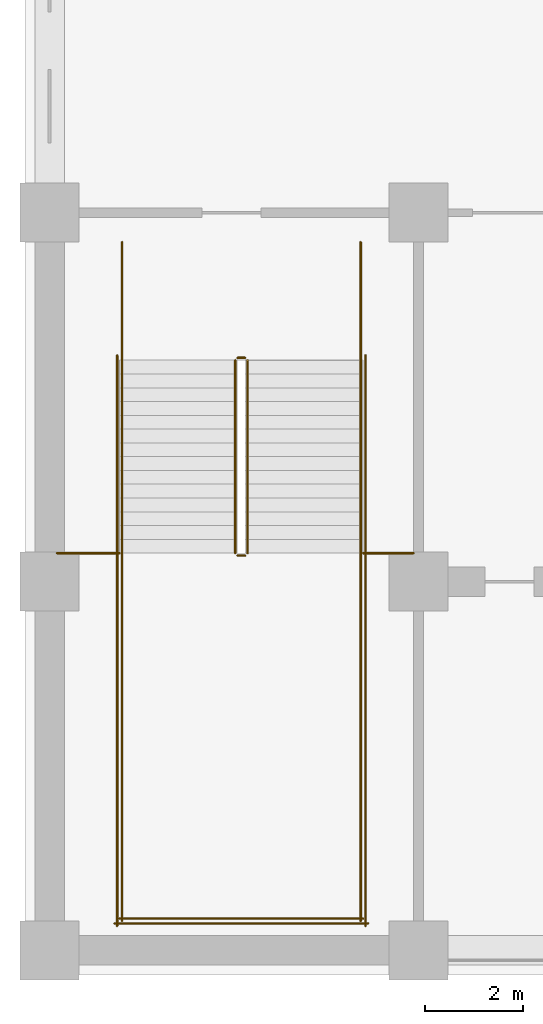
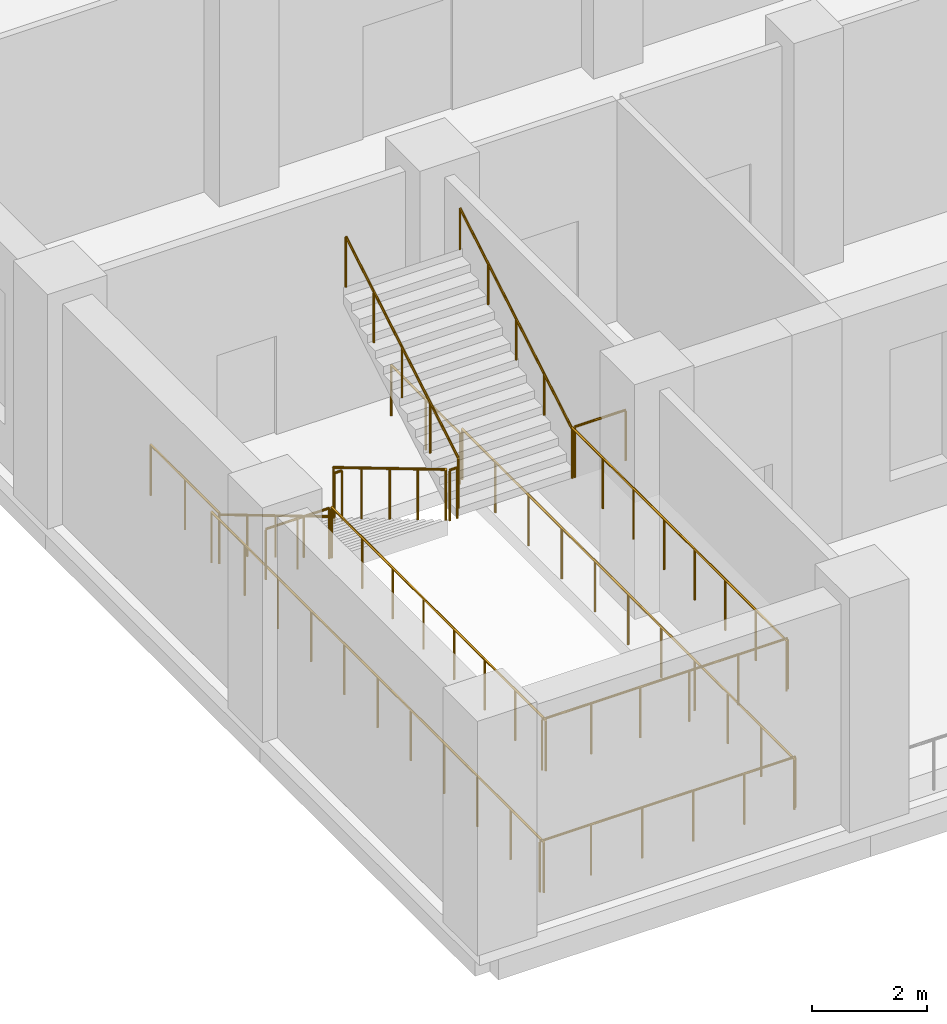
# One storey, part 17 of 22: 16 railings.
"""IFC4 building model written with IfcOpenShell, lengths in metres."""

from ifc_helpers import new_model, si_unit, direction, frame, origin, origin_2d, place, context, subcontext, project, spatial, circle, extrude, material, type_object, element, save


model = new_model("IFC4")

# Units and contexts
model_context = context("Model", 3, precision=1e-05, world=origin(), true_north=direction((0.0, 1.0)))
body_context = subcontext(model_context, "Body", "Model", "MODEL_VIEW")
ifc_project = project(units=[si_unit("LENGTHUNIT", "METRE"), si_unit("AREAUNIT", "SQUARE_METRE"), si_unit("VOLUMEUNIT", "CUBIC_METRE"), si_unit("PLANEANGLEUNIT", "RADIAN"), si_unit("MASSUNIT", "GRAM", prefix="KILO")], contexts=[model_context])

# Site, building, storey
site_placement = place(None, origin())
site = spatial("IfcSite", under=ifc_project, at=site_placement, CompositionType="ELEMENT")
building_placement = place(site_placement, origin())
building = spatial("IfcBuilding", under=site, at=building_placement, Name="Tamorin Gate", CompositionType="ELEMENT")
storey_placement = place(building_placement, frame((0.0, 0.0, 29.0)))
storey = spatial("IfcBuildingStorey", under=building, at=storey_placement, Name="L05", CompositionType="ELEMENT", Elevation=29.0)

# Railings
ifc_material = material(Name="Steel", Category="steel")
railing_type_1 = type_object("IfcRailingType", Name="Podium guard 1100", PredefinedType="GUARDRAIL", material=ifc_material)
railing_1_placement = place(storey_placement, frame((19.27490234375, 42.5, 0.166748046875)))
element("IfcRailing", 1, at=railing_1_placement, inside=storey, type_object=railing_type_1, Name="L05 PS1 stair guard 1", PredefinedType="GUARDRAIL", context=body_context, shape_type="SweptSolid", body=[
    extrude(circle(Radius=0.02392578125, at=origin_2d()), frame((0.0, 0.0, 1.076171875), z_axis=(0.0, -0.859296244711, 0.511478214419), x_axis=(1.0, 0.0, 0.0)), (0.0, 0.0, 1.0), 4.561767578125),
    extrude(circle(Radius=0.02099609375, at=origin_2d()), origin(), (0.0, 0.0, 1.0), 1.052001953125),
    extrude(circle(Radius=0.02099609375, at=origin_2d()), frame((0.0, -0.97998046875, 0.583251953125)), (0.0, 0.0, 1.0), 1.052001953125),
    extrude(circle(Radius=0.02099609375, at=origin_2d()), frame((0.0, -1.9599609375, 1.16650390625)), (0.0, 0.0, 1.0), 1.052001953125),
    extrude(circle(Radius=0.02099609375, at=origin_2d()), frame((0.0, -2.93994140625, 1.75)), (0.0, 0.0, 1.0), 1.052001953125),
    extrude(circle(Radius=0.02099609375, at=origin_2d()), frame((0.0, -3.919921875, 2.333251953125)), (0.0, 0.0, 1.0), 1.052001953125),
])
railing_2_placement = place(storey_placement, frame((19.324951171875, 38.530029296875, 2.5)))
element("IfcRailing", 2, at=railing_2_placement, inside=storey, type_object=railing_type_1, Name="L05 PS1 stair guard 2", PredefinedType="GUARDRAIL", context=body_context, shape_type="SweptSolid", body=[
    extrude(circle(Radius=0.02392578125, at=origin_2d()), frame((0.0, 0.0, 1.076171875), z_axis=(1.0, 0.0, 0.0), x_axis=(0.0, 1.0, 0.0)), (0.0, 0.0, 1.0), 0.150146484375),
    extrude(circle(Radius=0.02099609375, at=origin_2d()), origin(), (0.0, 0.0, 1.0), 1.052001953125),
    extrude(circle(Radius=0.02099609375, at=origin_2d()), frame((0.150146484375, 0.0, 0.0)), (0.0, 0.0, 1.0), 1.052001953125),
])
for number, where, name in (
    (3, (16.97509765625, 38.580078125, 2.5), "L05 PS1 stair guard 3"),
    (4, (21.824951171875, 38.580078125, 2.5), "L05 PS1 stair guard 4"),
):
    element("IfcRailing", number, at=place(storey_placement, frame(where)), inside=storey, type_object=railing_type_1, Name=name, PredefinedType="GUARDRAIL", context=body_context, shape_type="SweptSolid", body=[
        extrude(circle(Radius=0.02392578125, at=origin_2d()), frame((0.0, 0.0, 1.076171875), z_axis=(0.0, -1.0, 0.0), x_axis=(1.0, 0.0, 0.0)), (0.0, 0.0, 1.0), 7.47998046875),
        extrude(circle(Radius=0.02099609375, at=origin_2d()), origin(), (0.0, 0.0, 1.0), 1.052001953125),
        extrude(circle(Radius=0.02099609375, at=origin_2d()), frame((0.0, -1.068603515625, 0.0)), (0.0, 0.0, 1.0), 1.052001953125),
        extrude(circle(Radius=0.02099609375, at=origin_2d()), frame((0.0, -2.13720703125, 0.0)), (0.0, 0.0, 1.0), 1.052001953125),
        extrude(circle(Radius=0.02099609375, at=origin_2d()), frame((0.0, -3.205810546875, 0.0)), (0.0, 0.0, 1.0), 1.052001953125),
        extrude(circle(Radius=0.02099609375, at=origin_2d()), frame((0.0, -4.274169921875, 0.0)), (0.0, 0.0, 1.0), 1.052001953125),
        extrude(circle(Radius=0.02099609375, at=origin_2d()), frame((0.0, -5.3427734375, 0.0)), (0.0, 0.0, 1.0), 1.052001953125),
        extrude(circle(Radius=0.02099609375, at=origin_2d()), frame((0.0, -6.411376953125, 0.0)), (0.0, 0.0, 1.0), 1.052001953125),
        extrude(circle(Radius=0.02099609375, at=origin_2d()), frame((0.0, -7.47998046875, 0.0)), (0.0, 0.0, 1.0), 1.052001953125),
    ])
railing_3_placement = place(storey_placement, frame((16.925048828125, 31.14990234375, 2.5)))
element("IfcRailing", 5, at=railing_3_placement, inside=storey, type_object=railing_type_1, Name="L05 PS1 stair guard 5", PredefinedType="GUARDRAIL", context=body_context, shape_type="SweptSolid", body=[
    extrude(circle(Radius=0.02392578125, at=origin_2d()), frame((0.0, 0.0, 1.076171875), z_axis=(1.0, 0.0, 0.0), x_axis=(0.0, 1.0, 0.0)), (0.0, 0.0, 1.0), 4.949951171875),
    extrude(circle(Radius=0.02099609375, at=origin_2d()), origin(), (0.0, 0.0, 1.0), 1.052001953125),
    extrude(circle(Radius=0.02099609375, at=origin_2d()), frame((0.989990234375, 0.0, 0.0)), (0.0, 0.0, 1.0), 1.052001953125),
    extrude(circle(Radius=0.02099609375, at=origin_2d()), frame((1.97998046875, 0.0, 0.0)), (0.0, 0.0, 1.0), 1.052001953125),
    extrude(circle(Radius=0.02099609375, at=origin_2d()), frame((2.969970703125, 0.0, 0.0)), (0.0, 0.0, 1.0), 1.052001953125),
    extrude(circle(Radius=0.02099609375, at=origin_2d()), frame((3.9599609375, 0.0, 0.0)), (0.0, 0.0, 1.0), 1.052001953125),
    extrude(circle(Radius=0.02099609375, at=origin_2d()), frame((4.949951171875, 0.0, 0.0)), (0.0, 0.0, 1.0), 1.052001953125),
])
railing_4_placement = place(storey_placement, frame((19.52490234375, 38.580078125, 2.666748046875)))
element("IfcRailing", 6, at=railing_4_placement, inside=storey, type_object=railing_type_1, Name="L05 PS1 stair guard 6", PredefinedType="GUARDRAIL", context=body_context, shape_type="SweptSolid", body=[
    extrude(circle(Radius=0.02392578125, at=origin_2d()), frame((0.0, 0.0, 1.076171875), z_axis=(0.0, 0.859296244711, 0.511478214419), x_axis=(-1.0, 0.0, 0.0)), (0.0, 0.0, 1.0), 4.561767578125),
    extrude(circle(Radius=0.02099609375, at=origin_2d()), origin(), (0.0, 0.0, 1.0), 1.052001953125),
    extrude(circle(Radius=0.02099609375, at=origin_2d()), frame((0.0, 0.97998046875, 0.583251953125)), (0.0, 0.0, 1.0), 1.052001953125),
    extrude(circle(Radius=0.02099609375, at=origin_2d()), frame((0.0, 1.9599609375, 1.16650390625)), (0.0, 0.0, 1.0), 1.052001953125),
    extrude(circle(Radius=0.02099609375, at=origin_2d()), frame((0.0, 2.93994140625, 1.75)), (0.0, 0.0, 1.0), 1.052001953125),
    extrude(circle(Radius=0.02099609375, at=origin_2d()), frame((0.0, 3.919921875, 2.333251953125)), (0.0, 0.0, 1.0), 1.052001953125),
])
railing_5_placement = place(storey_placement, frame((19.324951171875, 42.550048828125, 0.0)))
element("IfcRailing", 7, at=railing_5_placement, inside=storey, type_object=railing_type_1, Name="L05 PS1 stair guard 7", PredefinedType="GUARDRAIL", context=body_context, shape_type="SweptSolid", body=[
    extrude(circle(Radius=0.02392578125, at=origin_2d()), frame((0.0, 0.0, 1.076171875), z_axis=(1.0, 0.0, 0.0), x_axis=(0.0, 1.0, 0.0)), (0.0, 0.0, 1.0), 0.150146484375),
    extrude(circle(Radius=0.02099609375, at=origin_2d()), origin(), (0.0, 0.0, 1.0), 1.052001953125),
    extrude(circle(Radius=0.02099609375, at=origin_2d()), frame((0.150146484375, 0.0, 0.0)), (0.0, 0.0, 1.0), 1.052001953125),
])
for number, where, name in (
    (8, (16.97509765625, 44.89990234375, 0.0), "L05 PS1 stair guard 8"),
    (9, (21.824951171875, 44.89990234375, 0.0), "L05 PS1 stair guard 9"),
):
    element("IfcRailing", number, at=place(storey_placement, frame(where)), inside=storey, type_object=railing_type_1, Name=name, PredefinedType="GUARDRAIL", context=body_context, shape_type="SweptSolid", body=[
        extrude(circle(Radius=0.02392578125, at=origin_2d()), frame((0.0, 0.0, 1.076171875), z_axis=(0.0, -1.0, 0.0), x_axis=(1.0, 0.0, 0.0)), (0.0, 0.0, 1.0), 2.39990234375),
        extrude(circle(Radius=0.02099609375, at=origin_2d()), origin(), (0.0, 0.0, 1.0), 1.052001953125),
        extrude(circle(Radius=0.02099609375, at=origin_2d()), frame((0.0, -1.199951171875, 0.0)), (0.0, 0.0, 1.0), 1.052001953125),
        extrude(circle(Radius=0.02099609375, at=origin_2d()), frame((0.0, -2.39990234375, 0.0)), (0.0, 0.0, 1.0), 1.052001953125),
    ])
for number, where, name in (
    (10, (16.875, 42.60009765625, 0.0), "L05 PS1 stair guard 10"),
    (11, (21.925048828125, 42.60009765625, 0.0), "L05 PS1 stair guard 11"),
):
    element("IfcRailing", number, at=place(storey_placement, frame(where)), inside=storey, type_object=railing_type_1, Name=name, PredefinedType="GUARDRAIL", context=body_context, shape_type="SweptSolid", body=[
        extrude(circle(Radius=0.02392578125, at=origin_2d()), frame((0.0, 0.0, 1.076171875), z_axis=(0.0, -1.0, 0.0), x_axis=(1.0, 0.0, 0.0)), (0.0, 0.0, 1.0), 11.60009765625),
        extrude(circle(Radius=0.02099609375, at=origin_2d()), origin(), (0.0, 0.0, 1.0), 1.052001953125),
        extrude(circle(Radius=0.02099609375, at=origin_2d()), frame((0.0, -1.159912109375, 0.0)), (0.0, 0.0, 1.0), 1.052001953125),
        extrude(circle(Radius=0.02099609375, at=origin_2d()), frame((0.0, -2.320068359375, 0.0)), (0.0, 0.0, 1.0), 1.052001953125),
        extrude(circle(Radius=0.02099609375, at=origin_2d()), frame((0.0, -3.47998046875, 0.0)), (0.0, 0.0, 1.0), 1.052001953125),
        extrude(circle(Radius=0.02099609375, at=origin_2d()), frame((0.0, -4.64013671875, 0.0)), (0.0, 0.0, 1.0), 1.052001953125),
        extrude(circle(Radius=0.02099609375, at=origin_2d()), frame((0.0, -5.800048828125, 0.0)), (0.0, 0.0, 1.0), 1.052001953125),
        extrude(circle(Radius=0.02099609375, at=origin_2d()), frame((0.0, -6.9599609375, 0.0)), (0.0, 0.0, 1.0), 1.052001953125),
        extrude(circle(Radius=0.02099609375, at=origin_2d()), frame((0.0, -8.1201171875, 0.0)), (0.0, 0.0, 1.0), 1.052001953125),
        extrude(circle(Radius=0.02099609375, at=origin_2d()), frame((0.0, -9.280029296875, 0.0)), (0.0, 0.0, 1.0), 1.052001953125),
        extrude(circle(Radius=0.02099609375, at=origin_2d()), frame((0.0, -10.440185546875, 0.0)), (0.0, 0.0, 1.0), 1.052001953125),
        extrude(circle(Radius=0.02099609375, at=origin_2d()), frame((0.0, -11.60009765625, 0.0)), (0.0, 0.0, 1.0), 1.052001953125),
    ])
railing_6_placement = place(storey_placement, frame((16.824951171875, 31.050048828125, 0.0)))
element("IfcRailing", 12, at=railing_6_placement, inside=storey, type_object=railing_type_1, Name="L05 PS1 stair guard 12", PredefinedType="GUARDRAIL", context=body_context, shape_type="SweptSolid", body=[
    extrude(circle(Radius=0.02392578125, at=origin_2d()), frame((0.0, 0.0, 1.076171875), z_axis=(1.0, 0.0, 0.0), x_axis=(0.0, 1.0, 0.0)), (0.0, 0.0, 1.0), 5.150146484375),
    extrude(circle(Radius=0.02099609375, at=origin_2d()), origin(), (0.0, 0.0, 1.0), 1.052001953125),
    extrude(circle(Radius=0.02099609375, at=origin_2d()), frame((1.030029296875, 0.0, 0.0)), (0.0, 0.0, 1.0), 1.052001953125),
    extrude(circle(Radius=0.02099609375, at=origin_2d()), frame((2.06005859375, 0.0, 0.0)), (0.0, 0.0, 1.0), 1.052001953125),
    extrude(circle(Radius=0.02099609375, at=origin_2d()), frame((3.090087890625, 0.0, 0.0)), (0.0, 0.0, 1.0), 1.052001953125),
    extrude(circle(Radius=0.02099609375, at=origin_2d()), frame((4.1201171875, 0.0, 0.0)), (0.0, 0.0, 1.0), 1.052001953125),
    extrude(circle(Radius=0.02099609375, at=origin_2d()), frame((5.150146484375, 0.0, 0.0)), (0.0, 0.0, 1.0), 1.052001953125),
])
railing_7_placement = place(storey_placement, frame((15.64990234375, 38.580078125, 2.5)))
element("IfcRailing", 13, at=railing_7_placement, inside=storey, type_object=railing_type_1, Name="Landing edge guard", PredefinedType="GUARDRAIL", context=body_context, shape_type="SweptSolid", body=[
    extrude(circle(Radius=0.02392578125, at=origin_2d()), frame((0.0, 0.0, 1.076171875), z_axis=(1.0, 0.0, 0.0), x_axis=(0.0, 1.0, 0.0)), (0.0, 0.0, 1.0), 1.275146484375),
    extrude(circle(Radius=0.02099609375, at=origin_2d()), origin(), (0.0, 0.0, 1.0), 1.052001953125),
    extrude(circle(Radius=0.02099609375, at=origin_2d()), frame((0.6376953125, 0.0, 0.0)), (0.0, 0.0, 1.0), 1.052001953125),
    extrude(circle(Radius=0.02099609375, at=origin_2d()), frame((1.275146484375, 0.0, 0.0)), (0.0, 0.0, 1.0), 1.052001953125),
])
railing_8_placement = place(storey_placement, frame((21.875, 38.580078125, 2.5)))
element("IfcRailing", 14, at=railing_8_placement, inside=storey, type_object=railing_type_1, Name="Landing edge guard", PredefinedType="GUARDRAIL", context=body_context, shape_type="SweptSolid", body=[
    extrude(circle(Radius=0.02392578125, at=origin_2d()), frame((0.0, 0.0, 1.076171875), z_axis=(1.0, 0.0, 0.0), x_axis=(0.0, 1.0, 0.0)), (0.0, 0.0, 1.0), 1.02490234375),
    extrude(circle(Radius=0.02099609375, at=origin_2d()), origin(), (0.0, 0.0, 1.0), 1.052001953125),
    extrude(circle(Radius=0.02099609375, at=origin_2d()), frame((1.02490234375, 0.0, 0.0)), (0.0, 0.0, 1.0), 1.052001953125),
])
railing_type_2 = type_object("IfcRailingType", Name="Podium stair handrail 900", PredefinedType="HANDRAIL", material=ifc_material)
railing_9_placement = place(storey_placement, frame((16.97509765625, 42.5, 0.166748046875)))
element("IfcRailing", 15, at=railing_9_placement, inside=storey, type_object=railing_type_2, Name="L05 PS1 stair handrail 1", PredefinedType="HANDRAIL", context=body_context, shape_type="SweptSolid", body=[
    extrude(circle(Radius=0.02392578125, at=origin_2d()), frame((0.0, 0.0, 0.8759765625), z_axis=(0.0, -0.859296244711, 0.511478214419), x_axis=(1.0, 0.0, 0.0)), (0.0, 0.0, 1.0), 4.561767578125),
    extrude(circle(Radius=0.02099609375, at=origin_2d()), origin(), (0.0, 0.0, 1.0), 0.851806640625),
    extrude(circle(Radius=0.02099609375, at=origin_2d()), frame((0.0, -0.97998046875, 0.583251953125)), (0.0, 0.0, 1.0), 0.851806640625),
    extrude(circle(Radius=0.02099609375, at=origin_2d()), frame((0.0, -1.9599609375, 1.16650390625)), (0.0, 0.0, 1.0), 0.851806640625),
    extrude(circle(Radius=0.02099609375, at=origin_2d()), frame((0.0, -2.93994140625, 1.75)), (0.0, 0.0, 1.0), 0.851806640625),
    extrude(circle(Radius=0.02099609375, at=origin_2d()), frame((0.0, -3.919921875, 2.333251953125)), (0.0, 0.0, 1.0), 0.851806640625),
])
railing_10_placement = place(storey_placement, frame((21.824951171875, 38.580078125, 2.666748046875)))
element("IfcRailing", 16, at=railing_10_placement, inside=storey, type_object=railing_type_2, Name="L05 PS1 stair handrail 2", PredefinedType="HANDRAIL", context=body_context, shape_type="SweptSolid", body=[
    extrude(circle(Radius=0.02392578125, at=origin_2d()), frame((0.0, 0.0, 0.8759765625), z_axis=(0.0, 0.859296244711, 0.511478214419), x_axis=(-1.0, 0.0, 0.0)), (0.0, 0.0, 1.0), 4.561767578125),
    extrude(circle(Radius=0.02099609375, at=origin_2d()), origin(), (0.0, 0.0, 1.0), 0.851806640625),
    extrude(circle(Radius=0.02099609375, at=origin_2d()), frame((0.0, 0.97998046875, 0.583251953125)), (0.0, 0.0, 1.0), 0.851806640625),
    extrude(circle(Radius=0.02099609375, at=origin_2d()), frame((0.0, 1.9599609375, 1.16650390625)), (0.0, 0.0, 1.0), 0.851806640625),
    extrude(circle(Radius=0.02099609375, at=origin_2d()), frame((0.0, 2.93994140625, 1.75)), (0.0, 0.0, 1.0), 0.851806640625),
    extrude(circle(Radius=0.02099609375, at=origin_2d()), frame((0.0, 3.919921875, 2.333251953125)), (0.0, 0.0, 1.0), 0.851806640625),
])

save(model, "model.ifc")
